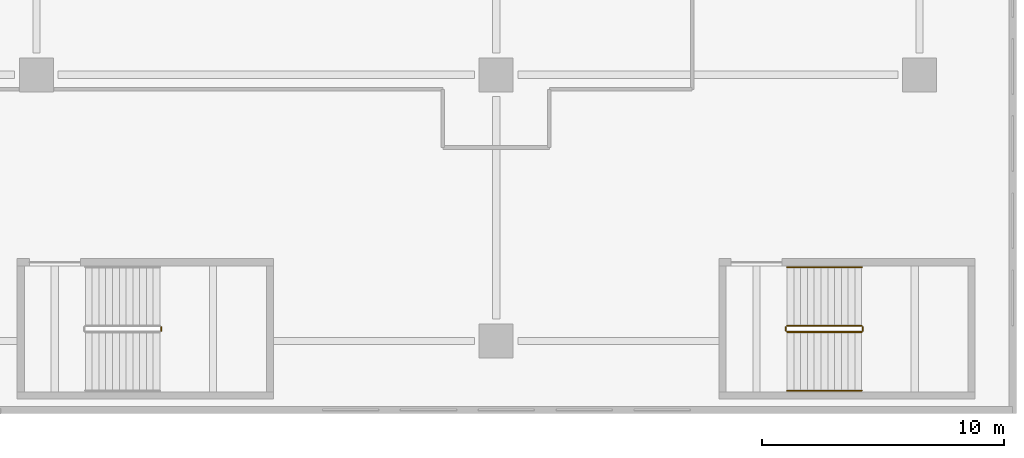
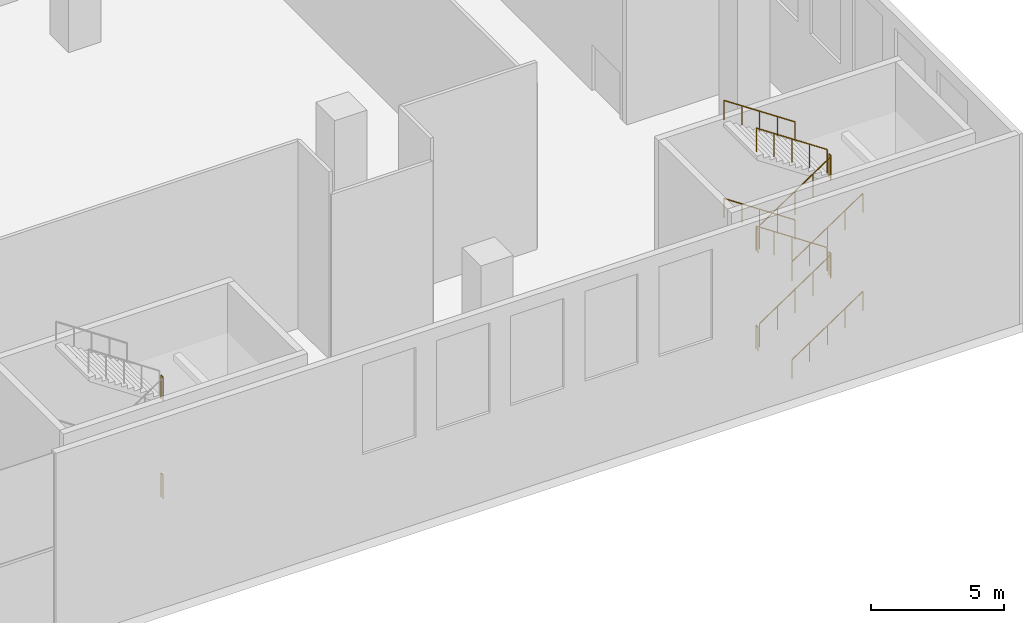
# One storey, part 23 of 27: 14 railings.
"""IFC4 building model written with IfcOpenShell, lengths in metres."""

from ifc_helpers import new_model, si_unit, direction, frame, origin, origin_2d, place, context, subcontext, project, spatial, circle, extrude, material, type_object, element, save


model = new_model("IFC4")

# Units and contexts
model_context = context("Model", 3, precision=1e-05, world=origin(), true_north=direction((0.0, 1.0)))
body_context = subcontext(model_context, "Body", "Model", "MODEL_VIEW")
ifc_project = project(units=[si_unit("LENGTHUNIT", "METRE"), si_unit("AREAUNIT", "SQUARE_METRE"), si_unit("VOLUMEUNIT", "CUBIC_METRE"), si_unit("PLANEANGLEUNIT", "RADIAN"), si_unit("MASSUNIT", "GRAM", prefix="KILO")], contexts=[model_context])

# Site, building, storey
site_placement = place(None, origin())
site = spatial("IfcSite", under=ifc_project, at=site_placement, CompositionType="ELEMENT")
building_placement = place(site_placement, origin())
building = spatial("IfcBuilding", under=site, at=building_placement, Name="Tel Ilan Convention Tower", CompositionType="ELEMENT")
storey_placement = place(building_placement, frame((0.0, 0.0, 9.0)))
storey = spatial("IfcBuildingStorey", under=building, at=storey_placement, Name="L01", CompositionType="ELEMENT", Elevation=9.0)

# Railings
ifc_material_1 = material(Name="Stainless Steel Grade 316", Category="steel")
railing_type_1 = type_object("IfcRailingType", Name="Stainless Steel Stair Guard 1100 mm", PredefinedType="GUARDRAIL", material=ifc_material_1)
for number, where, name in (
    (1, (14.655029296875, -78.574951171875, 2.25), "L01 P3 stair guard 2"),
    (2, (14.655029296875, -78.574951171875, 6.75), "L01 P3 stair guard 6"),
):
    element("IfcRailing", number, at=place(storey_placement, frame(where)), inside=storey, type_object=railing_type_1, Name=name, PredefinedType="GUARDRAIL", context=body_context, shape_type="SweptSolid", body=[
        extrude(circle(Radius=0.02392578125, at=origin_2d()), frame((0.0, 0.0, 1.076171875), z_axis=(0.0, 1.0, 0.0), x_axis=(-1.0, 0.0, 0.0)), (0.0, 0.0, 1.0), 0.14990234375),
        extrude(circle(Radius=0.02099609375, at=origin_2d()), origin(), (0.0, 0.0, 1.0), 1.052001953125),
        extrude(circle(Radius=0.02099609375, at=origin_2d()), frame((0.0, 0.14990234375, 0.0)), (0.0, 0.0, 1.0), 1.052001953125),
    ])
railing_1_placement = place(storey_placement, frame((40.52490234375, -78.625, 0.1875)))
element("IfcRailing", 3, at=railing_1_placement, inside=storey, type_object=railing_type_1, Name="L01 P4 stair guard 1", PredefinedType="GUARDRAIL", context=body_context, shape_type="SweptSolid", body=[
    extrude(circle(Radius=0.02392578125, at=origin_2d()), frame((0.0, 0.0, 1.076171875), z_axis=(0.830913701846, 0.0, 0.55640131208), x_axis=(0.0, 1.0, 0.0)), (0.0, 0.0, 1.0), 3.706787109375),
    extrude(circle(Radius=0.02099609375, at=origin_2d()), origin(), (0.0, 0.0, 1.0), 1.052001953125),
    extrude(circle(Radius=0.02099609375, at=origin_2d()), frame((0.77001953125, 0.0, 0.515625)), (0.0, 0.0, 1.0), 1.052001953125),
    extrude(circle(Radius=0.02099609375, at=origin_2d()), frame((1.5400390625, 0.0, 1.03125)), (0.0, 0.0, 1.0), 1.052001953125),
    extrude(circle(Radius=0.02099609375, at=origin_2d()), frame((2.31005859375, 0.0, 1.546875)), (0.0, 0.0, 1.0), 1.052001953125),
    extrude(circle(Radius=0.02099609375, at=origin_2d()), frame((3.080078125, 0.0, 2.0625)), (0.0, 0.0, 1.0), 1.052001953125),
])
railing_2_placement = place(storey_placement, frame((43.655029296875, -78.574951171875, 2.25)))
element("IfcRailing", 4, at=railing_2_placement, inside=storey, type_object=railing_type_1, Name="L01 P4 stair guard 2", PredefinedType="GUARDRAIL", context=body_context, shape_type="SweptSolid", body=[
    extrude(circle(Radius=0.02392578125, at=origin_2d()), frame((0.0, 0.0, 1.076171875), z_axis=(0.0, 1.0, 0.0), x_axis=(-1.0, 0.0, 0.0)), (0.0, 0.0, 1.0), 0.14990234375),
    extrude(circle(Radius=0.02099609375, at=origin_2d()), origin(), (0.0, 0.0, 1.0), 1.052001953125),
    extrude(circle(Radius=0.02099609375, at=origin_2d()), frame((0.0, 0.14990234375, 0.0)), (0.0, 0.0, 1.0), 1.052001953125),
])
railing_3_placement = place(storey_placement, frame((43.60498046875, -78.375, 2.4375)))
element("IfcRailing", 5, at=railing_3_placement, inside=storey, type_object=railing_type_1, Name="L01 P4 stair guard 3", PredefinedType="GUARDRAIL", context=body_context, shape_type="SweptSolid", body=[
    extrude(circle(Radius=0.02392578125, at=origin_2d()), frame((0.0, 0.0, 1.076171875), z_axis=(-0.830913701846, 0.0, 0.55640131208), x_axis=(0.0, -1.0, 0.0)), (0.0, 0.0, 1.0), 3.706787109375),
    extrude(circle(Radius=0.02099609375, at=origin_2d()), origin(), (0.0, 0.0, 1.0), 1.052001953125),
    extrude(circle(Radius=0.02099609375, at=origin_2d()), frame((-0.77001953125, 0.0, 0.515625)), (0.0, 0.0, 1.0), 1.052001953125),
    extrude(circle(Radius=0.02099609375, at=origin_2d()), frame((-1.5400390625, 0.0, 1.03125)), (0.0, 0.0, 1.0), 1.052001953125),
    extrude(circle(Radius=0.02099609375, at=origin_2d()), frame((-2.31005859375, 0.0, 1.546875)), (0.0, 0.0, 1.0), 1.052001953125),
    extrude(circle(Radius=0.02099609375, at=origin_2d()), frame((-3.080078125, 0.0, 2.0625)), (0.0, 0.0, 1.0), 1.052001953125),
])
railing_4_placement = place(storey_placement, frame((40.47509765625, -78.574951171875, 4.5)))
element("IfcRailing", 6, at=railing_4_placement, inside=storey, type_object=railing_type_1, Name="L01 P4 stair guard 4", PredefinedType="GUARDRAIL", context=body_context, shape_type="SweptSolid", body=[
    extrude(circle(Radius=0.02392578125, at=origin_2d()), frame((0.0, 0.0, 1.076171875), z_axis=(0.0, 1.0, 0.0), x_axis=(-1.0, 0.0, 0.0)), (0.0, 0.0, 1.0), 0.14990234375),
    extrude(circle(Radius=0.02099609375, at=origin_2d()), origin(), (0.0, 0.0, 1.0), 1.052001953125),
    extrude(circle(Radius=0.02099609375, at=origin_2d()), frame((0.0, 0.14990234375, 0.0)), (0.0, 0.0, 1.0), 1.052001953125),
])
railing_5_placement = place(storey_placement, frame((40.52490234375, -78.625, 4.6875)))
element("IfcRailing", 7, at=railing_5_placement, inside=storey, type_object=railing_type_1, Name="L01 P4 stair guard 5", PredefinedType="GUARDRAIL", context=body_context, shape_type="SweptSolid", body=[
    extrude(circle(Radius=0.02392578125, at=origin_2d()), frame((0.0, 0.0, 1.076171875), z_axis=(0.830913701846, 0.0, 0.55640131208), x_axis=(0.0, 1.0, 0.0)), (0.0, 0.0, 1.0), 3.706787109375),
    extrude(circle(Radius=0.02099609375, at=origin_2d()), origin(), (0.0, 0.0, 1.0), 1.052001953125),
    extrude(circle(Radius=0.02099609375, at=origin_2d()), frame((0.77001953125, 0.0, 0.515625)), (0.0, 0.0, 1.0), 1.052001953125),
    extrude(circle(Radius=0.02099609375, at=origin_2d()), frame((1.5400390625, 0.0, 1.03125)), (0.0, 0.0, 1.0), 1.052001953125),
    extrude(circle(Radius=0.02099609375, at=origin_2d()), frame((2.31005859375, 0.0, 1.546875)), (0.0, 0.0, 1.0), 1.052001953125),
    extrude(circle(Radius=0.02099609375, at=origin_2d()), frame((3.080078125, 0.0, 2.0625)), (0.0, 0.0, 1.0), 1.052001953125),
])
railing_6_placement = place(storey_placement, frame((43.655029296875, -78.574951171875, 6.75)))
element("IfcRailing", 8, at=railing_6_placement, inside=storey, type_object=railing_type_1, Name="L01 P4 stair guard 6", PredefinedType="GUARDRAIL", context=body_context, shape_type="SweptSolid", body=[
    extrude(circle(Radius=0.02392578125, at=origin_2d()), frame((0.0, 0.0, 1.076171875), z_axis=(0.0, 1.0, 0.0), x_axis=(-1.0, 0.0, 0.0)), (0.0, 0.0, 1.0), 0.14990234375),
    extrude(circle(Radius=0.02099609375, at=origin_2d()), origin(), (0.0, 0.0, 1.0), 1.052001953125),
    extrude(circle(Radius=0.02099609375, at=origin_2d()), frame((0.0, 0.14990234375, 0.0)), (0.0, 0.0, 1.0), 1.052001953125),
])
railing_7_placement = place(storey_placement, frame((43.60498046875, -78.375, 6.9375)))
element("IfcRailing", 9, at=railing_7_placement, inside=storey, type_object=railing_type_1, Name="L01 P4 stair guard 7", PredefinedType="GUARDRAIL", context=body_context, shape_type="SweptSolid", body=[
    extrude(circle(Radius=0.02392578125, at=origin_2d()), frame((0.0, 0.0, 1.076171875), z_axis=(-0.830913701846, 0.0, 0.55640131208), x_axis=(0.0, -1.0, 0.0)), (0.0, 0.0, 1.0), 3.706787109375),
    extrude(circle(Radius=0.02099609375, at=origin_2d()), origin(), (0.0, 0.0, 1.0), 1.052001953125),
    extrude(circle(Radius=0.02099609375, at=origin_2d()), frame((-0.77001953125, 0.0, 0.515625)), (0.0, 0.0, 1.0), 1.052001953125),
    extrude(circle(Radius=0.02099609375, at=origin_2d()), frame((-1.5400390625, 0.0, 1.03125)), (0.0, 0.0, 1.0), 1.052001953125),
    extrude(circle(Radius=0.02099609375, at=origin_2d()), frame((-2.31005859375, 0.0, 1.546875)), (0.0, 0.0, 1.0), 1.052001953125),
    extrude(circle(Radius=0.02099609375, at=origin_2d()), frame((-3.080078125, 0.0, 2.0625)), (0.0, 0.0, 1.0), 1.052001953125),
])
railing_8_placement = place(storey_placement, frame((40.47509765625, -78.574951171875, 0.0)))
element("IfcRailing", 10, at=railing_8_placement, inside=storey, type_object=railing_type_1, Name="L01 P4 stair guard 8", PredefinedType="GUARDRAIL", context=body_context, shape_type="SweptSolid", body=[
    extrude(circle(Radius=0.02392578125, at=origin_2d()), frame((0.0, 0.0, 1.076171875), z_axis=(0.0, 1.0, 0.0), x_axis=(-1.0, 0.0, 0.0)), (0.0, 0.0, 1.0), 0.14990234375),
    extrude(circle(Radius=0.02099609375, at=origin_2d()), origin(), (0.0, 0.0, 1.0), 1.052001953125),
    extrude(circle(Radius=0.02099609375, at=origin_2d()), frame((0.0, 0.14990234375, 0.0)), (0.0, 0.0, 1.0), 1.052001953125),
])
ifc_material_2 = material(Name="Stainless Steel Grade 316", Category="steel")
railing_type_2 = type_object("IfcRailingType", Name="Stainless Steel Stair Handrail 900 mm", PredefinedType="HANDRAIL", material=ifc_material_2)
railing_9_placement = place(storey_placement, frame((40.52490234375, -81.050048828125, 0.1875)))
element("IfcRailing", 11, at=railing_9_placement, inside=storey, type_object=railing_type_2, Name="L01 P4 stair handrail 1", PredefinedType="HANDRAIL", context=body_context, shape_type="SweptSolid", body=[
    extrude(circle(Radius=0.02392578125, at=origin_2d()), frame((0.0, 0.0, 0.8759765625), z_axis=(0.830913701846, 0.0, 0.55640131208), x_axis=(0.0, 1.0, 0.0)), (0.0, 0.0, 1.0), 3.706787109375),
    extrude(circle(Radius=0.02099609375, at=origin_2d()), origin(), (0.0, 0.0, 1.0), 0.851806640625),
    extrude(circle(Radius=0.02099609375, at=origin_2d()), frame((0.77001953125, 0.0, 0.515625)), (0.0, 0.0, 1.0), 0.851806640625),
    extrude(circle(Radius=0.02099609375, at=origin_2d()), frame((1.5400390625, 0.0, 1.03125)), (0.0, 0.0, 1.0), 0.851806640625),
    extrude(circle(Radius=0.02099609375, at=origin_2d()), frame((2.31005859375, 0.0, 1.546875)), (0.0, 0.0, 1.0), 0.851806640625),
    extrude(circle(Radius=0.02099609375, at=origin_2d()), frame((3.080078125, 0.0, 2.0625)), (0.0, 0.0, 1.0), 0.851806640625),
])
railing_10_placement = place(storey_placement, frame((43.60498046875, -75.949951171875, 2.4375)))
element("IfcRailing", 12, at=railing_10_placement, inside=storey, type_object=railing_type_2, Name="L01 P4 stair handrail 2", PredefinedType="HANDRAIL", context=body_context, shape_type="SweptSolid", body=[
    extrude(circle(Radius=0.02392578125, at=origin_2d()), frame((0.0, 0.0, 0.8759765625), z_axis=(-0.830913701846, 0.0, 0.55640131208), x_axis=(0.0, -1.0, 0.0)), (0.0, 0.0, 1.0), 3.706787109375),
    extrude(circle(Radius=0.02099609375, at=origin_2d()), origin(), (0.0, 0.0, 1.0), 0.851806640625),
    extrude(circle(Radius=0.02099609375, at=origin_2d()), frame((-0.77001953125, 0.0, 0.515625)), (0.0, 0.0, 1.0), 0.851806640625),
    extrude(circle(Radius=0.02099609375, at=origin_2d()), frame((-1.5400390625, 0.0, 1.03125)), (0.0, 0.0, 1.0), 0.851806640625),
    extrude(circle(Radius=0.02099609375, at=origin_2d()), frame((-2.31005859375, 0.0, 1.546875)), (0.0, 0.0, 1.0), 0.851806640625),
    extrude(circle(Radius=0.02099609375, at=origin_2d()), frame((-3.080078125, 0.0, 2.0625)), (0.0, 0.0, 1.0), 0.851806640625),
])
railing_11_placement = place(storey_placement, frame((40.52490234375, -81.050048828125, 4.6875)))
element("IfcRailing", 13, at=railing_11_placement, inside=storey, type_object=railing_type_2, Name="L01 P4 stair handrail 3", PredefinedType="HANDRAIL", context=body_context, shape_type="SweptSolid", body=[
    extrude(circle(Radius=0.02392578125, at=origin_2d()), frame((0.0, 0.0, 0.8759765625), z_axis=(0.830913701846, 0.0, 0.55640131208), x_axis=(0.0, 1.0, 0.0)), (0.0, 0.0, 1.0), 3.706787109375),
    extrude(circle(Radius=0.02099609375, at=origin_2d()), origin(), (0.0, 0.0, 1.0), 0.851806640625),
    extrude(circle(Radius=0.02099609375, at=origin_2d()), frame((0.77001953125, 0.0, 0.515625)), (0.0, 0.0, 1.0), 0.851806640625),
    extrude(circle(Radius=0.02099609375, at=origin_2d()), frame((1.5400390625, 0.0, 1.03125)), (0.0, 0.0, 1.0), 0.851806640625),
    extrude(circle(Radius=0.02099609375, at=origin_2d()), frame((2.31005859375, 0.0, 1.546875)), (0.0, 0.0, 1.0), 0.851806640625),
    extrude(circle(Radius=0.02099609375, at=origin_2d()), frame((3.080078125, 0.0, 2.0625)), (0.0, 0.0, 1.0), 0.851806640625),
])
railing_12_placement = place(storey_placement, frame((43.60498046875, -75.949951171875, 6.9375)))
element("IfcRailing", 14, at=railing_12_placement, inside=storey, type_object=railing_type_2, Name="L01 P4 stair handrail 4", PredefinedType="HANDRAIL", context=body_context, shape_type="SweptSolid", body=[
    extrude(circle(Radius=0.02392578125, at=origin_2d()), frame((0.0, 0.0, 0.8759765625), z_axis=(-0.830913701846, 0.0, 0.55640131208), x_axis=(0.0, -1.0, 0.0)), (0.0, 0.0, 1.0), 3.706787109375),
    extrude(circle(Radius=0.02099609375, at=origin_2d()), origin(), (0.0, 0.0, 1.0), 0.851806640625),
    extrude(circle(Radius=0.02099609375, at=origin_2d()), frame((-0.77001953125, 0.0, 0.515625)), (0.0, 0.0, 1.0), 0.851806640625),
    extrude(circle(Radius=0.02099609375, at=origin_2d()), frame((-1.5400390625, 0.0, 1.03125)), (0.0, 0.0, 1.0), 0.851806640625),
    extrude(circle(Radius=0.02099609375, at=origin_2d()), frame((-2.31005859375, 0.0, 1.546875)), (0.0, 0.0, 1.0), 0.851806640625),
    extrude(circle(Radius=0.02099609375, at=origin_2d()), frame((-3.080078125, 0.0, 2.0625)), (0.0, 0.0, 1.0), 0.851806640625),
])

save(model, "model.ifc")
